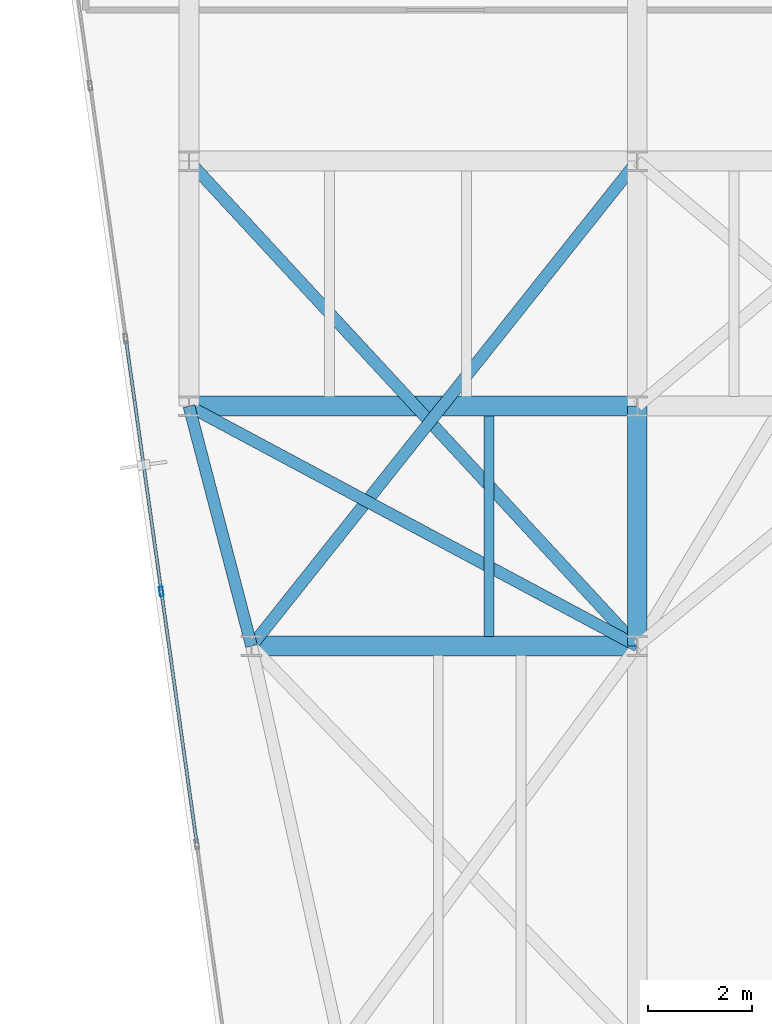
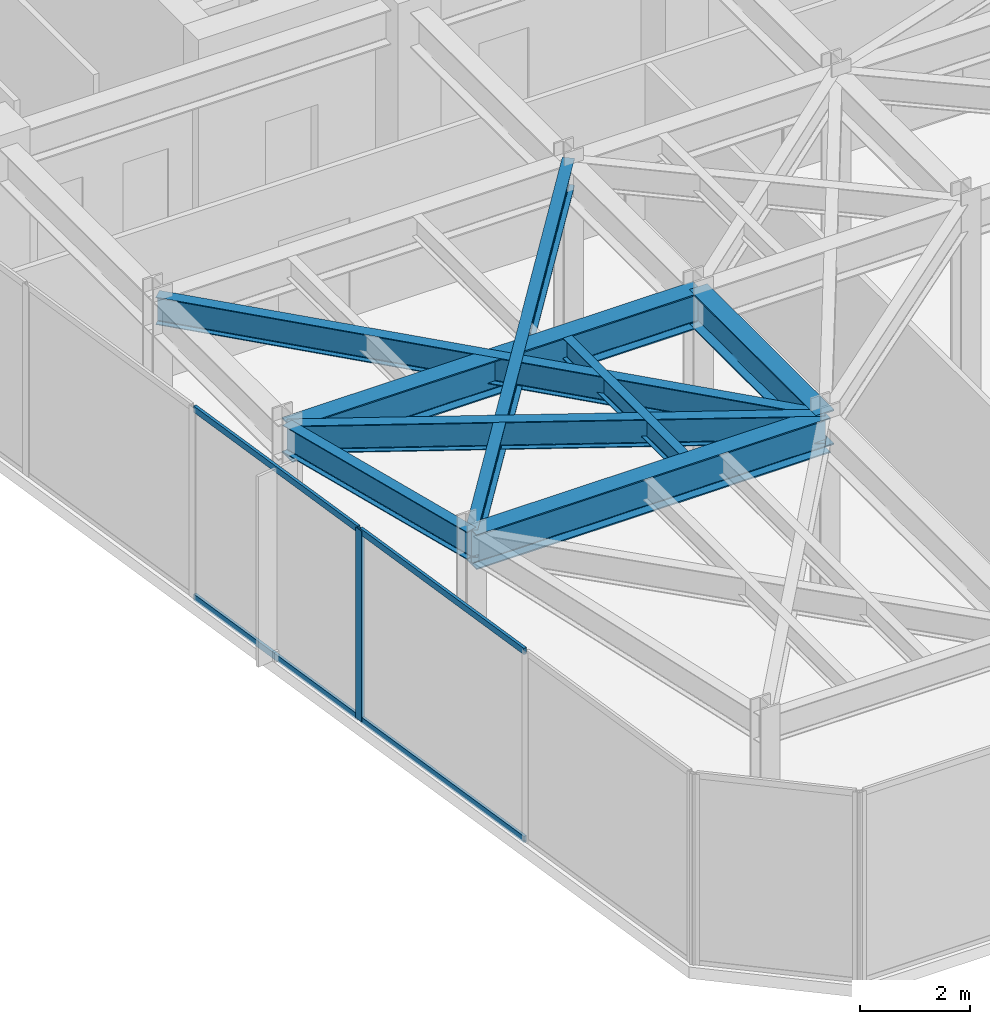
# One storey, part 4 of 25: 8 beams, 5 members, 1 element without a shape of its own.
"""IFC4 building model written with IfcOpenShell, lengths in metres."""

from ifc_helpers import new_model, si_unit, direction, frame, origin, origin_2d, place, context, subcontext, project, spatial, hollow_rectangle, i_section, extrude, material, layer, layer_set, material_profile, profile_set, type_object, element, aggregate, save


model = new_model("IFC4")

# Units and contexts
model_context = context("Model", 3, precision=1e-05, world=origin(), true_north=direction((0.0, 1.0)))
body_context = subcontext(model_context, "Body", "Model", "MODEL_VIEW")
ifc_project = project(units=[si_unit("LENGTHUNIT", "METRE"), si_unit("AREAUNIT", "SQUARE_METRE"), si_unit("VOLUMEUNIT", "CUBIC_METRE"), si_unit("PLANEANGLEUNIT", "RADIAN"), si_unit("MASSUNIT", "GRAM", prefix="KILO")], contexts=[model_context])

# Site, building, storey
site_placement = place(None, origin())
site = spatial("IfcSite", under=ifc_project, at=site_placement, CompositionType="ELEMENT")
building_placement = place(site_placement, origin())
building = spatial("IfcBuilding", under=site, at=building_placement, Name="Kravanh Interchange Tower", CompositionType="ELEMENT")
storey_placement = place(building_placement, frame((0.0, 0.0, 220.5)))
storey = spatial("IfcBuildingStorey", under=building, at=storey_placement, Name="L53", CompositionType="ELEMENT", Elevation=220.5)

# Curtain wall, members
ifc_material_1 = material(Name="Anodised Bronze Aluminium", Category="aluminium")
ifc_layer = layer(ifc_material_1, 0.179931640625)
ifc_layer_set = layer_set([ifc_layer], Name="Unitised Curtain Wall System CW-SKY Sky Observatory")
curtain_wall_type = type_object("IfcCurtainWallType", Name="Unitised Curtain Wall System CW-SKY Sky Observatory", PredefinedType="NOTDEFINED", material=ifc_layer_set)
curtain_wall_placement = place(storey_placement, origin())
curtain_wall = element("IfcCurtainWall", 1, at=curtain_wall_placement, inside=storey, type_object=curtain_wall_type, Name="L53 Unitised Curtain Wall CW-L53-01", PredefinedType="NOTDEFINED")
ifc_material_2 = material(Name="Anodised Bronze Aluminium", Category="aluminium")
ifc_material_profile_1 = material_profile(ifc_material_2, hollow_rectangle(XDim=0.070068359375, YDim=0.179931640625, WallThickness=0.00390625, at=origin_2d()), Name="ALU70X180X4")
ifc_profile_set_1 = profile_set([ifc_material_profile_1], Name="Anodised Bronze Aluminium")
member_type_1 = type_object("IfcMemberType", Name="Curtain Wall Mullion ALU70X180X4 Bronze", PredefinedType="MULLION", material=ifc_profile_set_1)
member_1_placement = place(storey_placement, frame((18.070556640625, 23.244384765625, 0.0), z_axis=(0.0, 0.0, 1.0), x_axis=(-0.990268194035, -0.139172209446, 0.0)))
member_1 = element("IfcMember", 2, at=member_1_placement, type_object=member_type_1, Name="CW-SKY mullion 3", PredefinedType="MULLION", context=body_context, shape_type="SweptSolid", body=[
    extrude(hollow_rectangle(XDim=0.070068359375, YDim=0.179931640625, WallThickness=0.00390625, at=origin_2d()), origin(), (0.0, 0.0, 1.0), 4.219970703125),
])
ifc_material_3 = material(Name="Anodised Bronze Aluminium", Category="aluminium")
ifc_material_profile_2 = material_profile(ifc_material_3, hollow_rectangle(XDim=0.06005859375, YDim=0.139892578125, WallThickness=0.00390625, at=origin_2d()), Name="ALU60X140X4")
ifc_profile_set_2 = profile_set([ifc_material_profile_2], Name="Anodised Bronze Aluminium")
member_type_2 = type_object("IfcMemberType", Name="Curtain Wall Transom ALU60X140X4 Bronze", PredefinedType="USERDEFINED", material=ifc_profile_set_2)
member_2_placement = place(storey_placement, frame((18.74755859375, 18.42724609375, 0.030029296875), z_axis=(-0.139170403637, 0.990268447822, 0.0), x_axis=(-0.990268447822, -0.139170403637, 0.0)))
member_2 = element("IfcMember", 3, at=member_2_placement, type_object=member_type_2, Name="CW-SKY transom 2.1", ObjectType="TRANSOM", PredefinedType="USERDEFINED", context=body_context, shape_type="SweptSolid", body=[
    extrude(hollow_rectangle(XDim=0.06005859375, YDim=0.139892578125, WallThickness=0.00390625, at=origin_2d()), origin(), (0.0, 0.0, 1.0), 4.82958984375),
])
member_3_placement = place(storey_placement, frame((18.74755859375, 18.42724609375, 4.18994140625), z_axis=(-0.139170403637, 0.990268447822, 0.0), x_axis=(-0.990268447822, -0.139170403637, 0.0)))
member_3 = element("IfcMember", 4, at=member_3_placement, type_object=member_type_2, Name="CW-SKY transom 2.2", ObjectType="TRANSOM", PredefinedType="USERDEFINED", context=body_context, shape_type="SweptSolid", body=[
    extrude(hollow_rectangle(XDim=0.06005859375, YDim=0.139892578125, WallThickness=0.00390625, at=origin_2d()), origin(), (0.0, 0.0, 1.0), 4.82958984375),
])
member_4_placement = place(storey_placement, frame((18.065673828125, 23.279052734375, 0.030029296875), z_axis=(-0.139170403637, 0.990268447822, 0.0), x_axis=(-0.990268447822, -0.139170403637, 0.0)))
member_4 = element("IfcMember", 5, at=member_4_placement, type_object=member_type_2, Name="CW-SKY transom 3.1", ObjectType="TRANSOM", PredefinedType="USERDEFINED", context=body_context, shape_type="SweptSolid", body=[
    extrude(hollow_rectangle(XDim=0.06005859375, YDim=0.139892578125, WallThickness=0.00390625, at=origin_2d()), origin(), (0.0, 0.0, 1.0), 4.82958984375),
])
member_5_placement = place(storey_placement, frame((18.065673828125, 23.279052734375, 4.18994140625), z_axis=(-0.139170403637, 0.990268447822, 0.0), x_axis=(-0.990268447822, -0.139170403637, 0.0)))
member_5 = element("IfcMember", 6, at=member_5_placement, type_object=member_type_2, Name="CW-SKY transom 3.2", ObjectType="TRANSOM", PredefinedType="USERDEFINED", context=body_context, shape_type="SweptSolid", body=[
    extrude(hollow_rectangle(XDim=0.06005859375, YDim=0.139892578125, WallThickness=0.00390625, at=origin_2d()), origin(), (0.0, 0.0, 1.0), 4.82958984375),
])
aggregate(curtain_wall, [member_1, member_2, member_3, member_4, member_5])

# Beams
ifc_material_4 = material(Name="Structural Steel S355", Category="steel")
ifc_material_profile_3 = material_profile(ifc_material_4, i_section(OverallWidth=0.381103515625, OverallDepth=0.77294921875, WebThickness=0.0166015625, FlangeThickness=0.027099609375, FilletRadius=0.02490234375, at=origin_2d()), Name="W30X173")
ifc_profile_set_3 = profile_set([ifc_material_profile_3], Name="Structural Steel S355")
beam_type_1 = type_object("IfcBeamType", Name="Floor Beam W30X173 Structural Steel S355", PredefinedType="BEAM", material=ifc_profile_set_3)
beam_1_placement = place(storey_placement, frame((18.60009765625, 26.800048828125, 3.83349609375), z_axis=(1.0, 0.0, 0.0), x_axis=(0.0, 1.0, 0.0)))
element("IfcBeam", 7, at=beam_1_placement, inside=storey, type_object=beam_type_1, Name="L53 Primary Floor Girder 35", PredefinedType="BEAM", context=body_context, shape_type="SweptSolid", body=[
    extrude(i_section(OverallWidth=0.381103515625, OverallDepth=0.77294921875, WebThickness=0.0166015625, FlangeThickness=0.027099609375, FilletRadius=0.02490234375, at=origin_2d()), origin(), (0.0, 0.0, 1.0), 8.599853515625),
])
beam_2_placement = place(storey_placement, frame((27.199951171875, 26.800048828125, 3.83349609375), z_axis=(0.0, -1.0, 0.0), x_axis=(1.0, 0.0, 0.0)))
element("IfcBeam", 8, at=beam_2_placement, inside=storey, type_object=beam_type_1, Name="L53 Primary Floor Girder 37", PredefinedType="BEAM", context=body_context, shape_type="SweptSolid", body=[
    extrude(i_section(OverallWidth=0.381103515625, OverallDepth=0.77294921875, WebThickness=0.0166015625, FlangeThickness=0.027099609375, FilletRadius=0.02490234375, at=origin_2d()), origin(), (0.0, 0.0, 1.0), 4.60009765625),
])
beam_3_placement = place(storey_placement, frame((19.800048828125, 22.199951171875, 3.83349609375), z_axis=(1.0, 0.0, 0.0), x_axis=(0.0, 1.0, 0.0)))
element("IfcBeam", 9, at=beam_3_placement, inside=storey, type_object=beam_type_1, Name="L53 Primary Floor Girder 91", PredefinedType="BEAM", context=body_context, shape_type="SweptSolid", body=[
    extrude(i_section(OverallWidth=0.381103515625, OverallDepth=0.77294921875, WebThickness=0.0166015625, FlangeThickness=0.027099609375, FilletRadius=0.02490234375, at=origin_2d()), origin(), (0.0, 0.0, 1.0), 7.39990234375),
])
ifc_material_5 = material(Name="Structural Steel S355", Category="steel")
ifc_material_profile_4 = material_profile(ifc_material_5, i_section(OverallWidth=0.18994140625, OverallDepth=0.45703125, WebThickness=0.009033203125, FlangeThickness=0.014404296875, FilletRadius=0.01806640625, at=origin_2d()), Name="W18X50")
ifc_profile_set_4 = profile_set([ifc_material_profile_4], Name="Structural Steel S355")
beam_type_2 = type_object("IfcBeamType", Name="Floor Joist W18X50 Structural Steel S355", PredefinedType="JOIST", material=ifc_profile_set_4)
beam_4_placement = place(storey_placement, frame((24.35400390625, 22.385498046875, 3.991455078125), z_axis=(0.0, 1.0, 0.0), x_axis=(-1.0, 0.0, 0.0)))
element("IfcBeam", 10, at=beam_4_placement, inside=storey, type_object=beam_type_2, Name="L53 Secondary Floor Joist 6", PredefinedType="JOIST", context=body_context, shape_type="SweptSolid", body=[
    extrude(i_section(OverallWidth=0.18994140625, OverallDepth=0.45703125, WebThickness=0.009033203125, FlangeThickness=0.014404296875, FilletRadius=0.01806640625, at=origin_2d()), origin(), (0.0, 0.0, 1.0), 4.22900390625),
])
ifc_material_6 = material(Name="Structural Steel S355", Category="steel")
ifc_material_profile_5 = material_profile(ifc_material_6, i_section(OverallWidth=0.22802734375, OverallDepth=0.60791015625, WebThickness=0.01123046875, FlangeThickness=0.017333984375, FilletRadius=0.02197265625, at=origin_2d()), Name="W24X76")
ifc_profile_set_5 = profile_set([ifc_material_profile_5], Name="Structural Steel S355")
beam_type_3 = type_object("IfcBeamType", Name="Floor Spandrel W24X76 Structural Steel S355", PredefinedType="SPANDREL", material=ifc_profile_set_5)
beam_5_placement = place(storey_placement, frame((18.60009765625, 26.800048828125, 3.916015625), z_axis=(0.252407263364, -0.967621089787, 0.0), x_axis=(0.967621089787, 0.252407263364, 0.0)))
element("IfcBeam", 11, at=beam_5_placement, inside=storey, type_object=beam_type_3, Name="L53 Perimeter Spandrel 34", PredefinedType="SPANDREL", context=body_context, shape_type="SweptSolid", body=[
    extrude(i_section(OverallWidth=0.22802734375, OverallDepth=0.60791015625, WebThickness=0.01123046875, FlangeThickness=0.017333984375, FilletRadius=0.02197265625, at=origin_2d()), origin(), (0.0, 0.0, 1.0), 4.75390625),
])
beam_6_placement = place(storey_placement, frame((18.60009765625, 26.800048828125, 3.916015625), z_axis=(0.881777136221, -0.471666282489, 0.0), x_axis=(0.471666282489, 0.881777136221, 0.0)))
element("IfcBeam", 12, at=beam_6_placement, inside=storey, type_object=beam_type_3, Name="L53 Perimeter Spandrel 36", PredefinedType="SPANDREL", context=body_context, shape_type="SweptSolid", body=[
    extrude(i_section(OverallWidth=0.22802734375, OverallDepth=0.60791015625, WebThickness=0.01123046875, FlangeThickness=0.017333984375, FilletRadius=0.02197265625, at=origin_2d()), origin(), (0.0, 0.0, 1.0), 9.7529296875),
])
beam_7_placement = place(storey_placement, frame((18.60009765625, 31.5, 3.916015625), z_axis=(0.678927458783, -0.734205356634, 0.0), x_axis=(0.734205356634, 0.678927458783, 0.0)))
element("IfcBeam", 13, at=beam_7_placement, inside=storey, type_object=beam_type_3, Name="L53 Perimeter Spandrel 63", PredefinedType="SPANDREL", context=body_context, shape_type="SweptSolid", body=[
    extrude(i_section(OverallWidth=0.22802734375, OverallDepth=0.60791015625, WebThickness=0.01123046875, FlangeThickness=0.017333984375, FilletRadius=0.02197265625, at=origin_2d()), origin(), (0.0, 0.0, 1.0), 12.666748046875),
])
beam_8_placement = place(storey_placement, frame((27.199951171875, 31.5, 3.916015625), z_axis=(-0.622633646541, -0.782513477324, 0.0), x_axis=(0.782513477324, -0.622633646541, 0.0)))
element("IfcBeam", 14, at=beam_8_placement, inside=storey, type_object=beam_type_3, Name="L53 Perimeter Spandrel 66", PredefinedType="SPANDREL", context=body_context, shape_type="SweptSolid", body=[
    extrude(i_section(OverallWidth=0.22802734375, OverallDepth=0.60791015625, WebThickness=0.01123046875, FlangeThickness=0.017333984375, FilletRadius=0.02197265625, at=origin_2d()), origin(), (0.0, 0.0, 1.0), 11.884765625),
])

save(model, "model.ifc")
